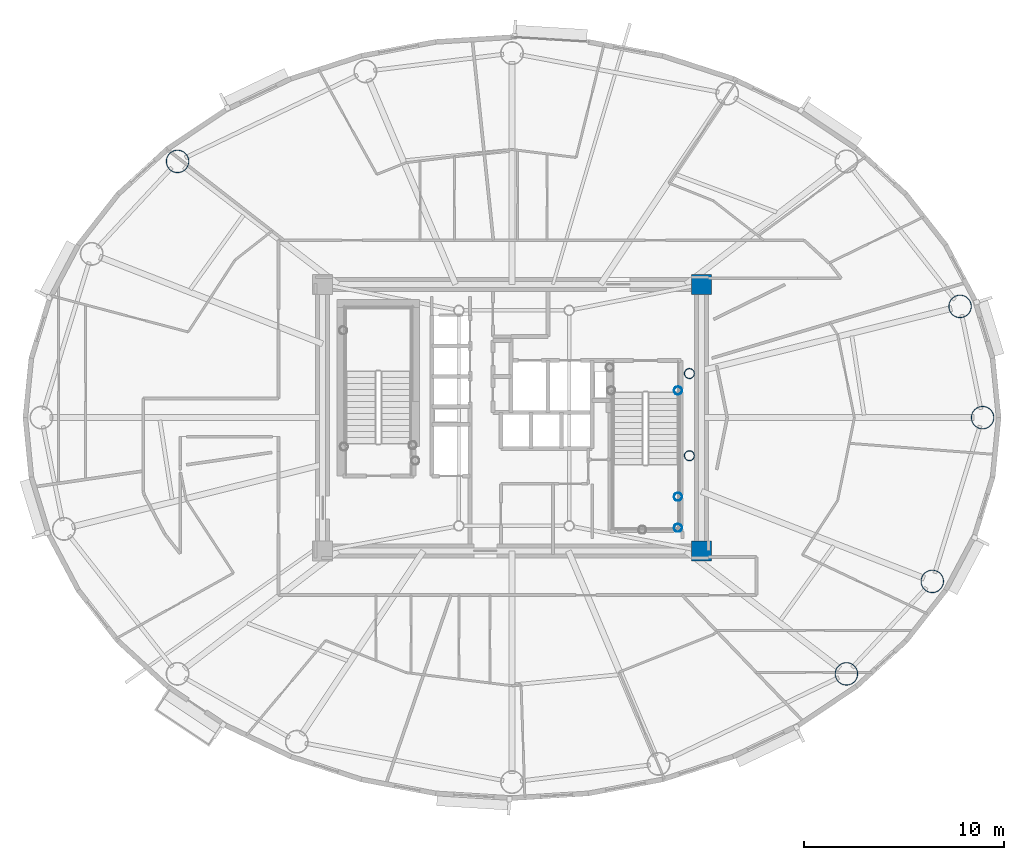
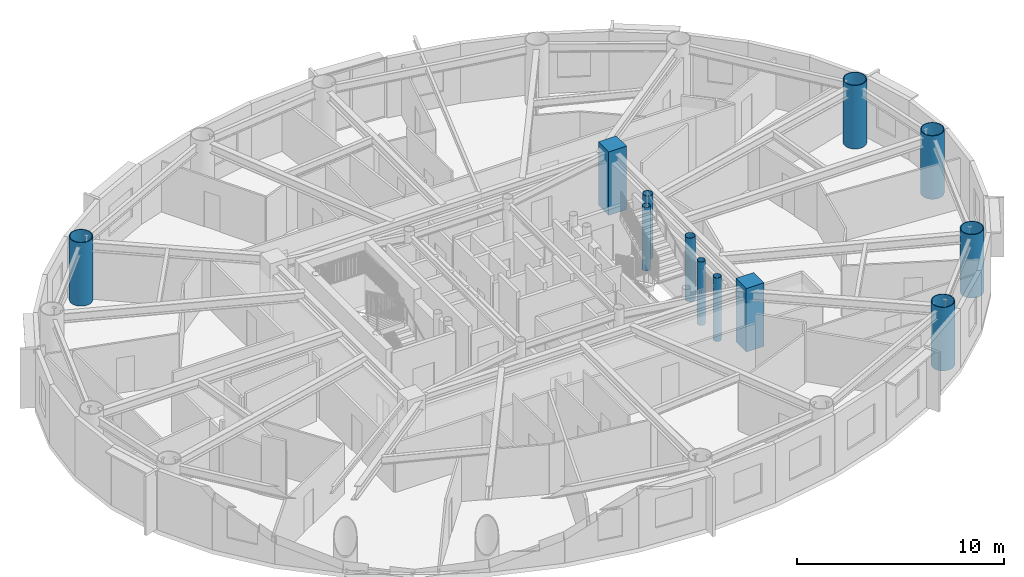
# One storey, part 2 of 19: 12 columns.
"""IFC4 building model written with IfcOpenShell, lengths in metres."""

from ifc_helpers import new_model, si_unit, direction, frame, origin, origin_2d, place, context, subcontext, project, spatial, rectangle, hollow_circle, extrude, material, material_profile, profile_set, type_object, element, save


model = new_model("IFC4")

# Units and contexts
model_context = context("Model", 3, precision=1e-05, world=origin(), true_north=direction((0.0, 1.0)))
body_context = subcontext(model_context, "Body", "Model", "MODEL_VIEW")
ifc_project = project(units=[si_unit("LENGTHUNIT", "METRE"), si_unit("AREAUNIT", "SQUARE_METRE"), si_unit("VOLUMEUNIT", "CUBIC_METRE"), si_unit("PLANEANGLEUNIT", "RADIAN"), si_unit("MASSUNIT", "GRAM", prefix="KILO")], contexts=[model_context])

# Site, building, storey
site_placement = place(None, origin())
site = spatial("IfcSite", under=ifc_project, at=site_placement, CompositionType="ELEMENT")
building_placement = place(site_placement, origin())
building = spatial("IfcBuilding", under=site, at=building_placement, Name="Linh Dai School and Residence Tower", CompositionType="ELEMENT")
storey_placement = place(building_placement, frame((0.0, 0.0, 236.550048828125)))
storey = spatial("IfcBuildingStorey", under=building, at=storey_placement, Name="L58", CompositionType="ELEMENT", Elevation=236.550048828125)

# Columns
ifc_material_1 = material(Name="Concrete B45 (C35/45)", Category="concrete")
ifc_material_profile_1 = material_profile(ifc_material_1, rectangle(XDim=1.0, YDim=1.0, at=origin_2d()), Name="RC 1000x1000")
ifc_profile_set_1 = profile_set([ifc_material_profile_1], Name="Concrete B45 (C35/45)")
column_type_1 = type_object("IfcColumnType", Name="COL-CC3", PredefinedType="COLUMN", material=ifc_profile_set_1)
for number, where, z_axis, x_axis, name in (
    (1, (45.449951171875, 20.35009765625, 0.0), (0.0, 0.0, 1.0), (1.0, 0.0, 0.0), "L58 Core Corner Pier CC2"),
    (2, (45.449951171875, 33.64990234375, 0.0), (0.0, 0.0, 1.0), (1.0, 0.0, 0.0), "L58 Core Corner Pier CC3"),
):
    element("IfcColumn", number, at=place(storey_placement, frame(where, z_axis=z_axis, x_axis=x_axis)), inside=storey, type_object=column_type_1, Name=name, PredefinedType="COLUMN", context=body_context, shape_type="SweptSolid", body=[
        extrude(rectangle(XDim=1.0, YDim=1.0, at=origin_2d()), origin(), (0.0, 0.0, 1.0), 3.75),
    ])
ifc_material_2 = material(Name="Structural Steel S355JR", Category="steel")
ifc_material_profile_2 = material_profile(ifc_material_2, hollow_circle(Radius=0.203125, WallThickness=0.01611328125, at=origin_2d()), Name="CHS 406.4x16")
ifc_profile_set_2 = profile_set([ifc_material_profile_2], Name="Structural Steel S355JR")
column_type_2 = type_object("IfcColumnType", Name="COL-EC", PredefinedType="COLUMN", material=ifc_profile_set_2)
for number, where, z_axis, x_axis, name in (
    (3, (44.280029296875, 21.5, 0.0), (0.0, 0.0, 1.0), (1.0, 0.0, 0.0), "L58 Stair Shaft Landing Support Pier ST2SE"),
    (4, (44.280029296875, 23.050048828125, 0.0), (0.0, 0.0, 1.0), (1.0, 0.0, 0.0), "L58 Stair Shaft Landing Support Pier ST2NE"),
    (5, (44.280029296875, 28.35009765625, 0.0), (0.0, 0.0, 1.0), (1.0, 0.0, 0.0), "L58 Stair Shaft Landing Support Pier ST2N2"),
):
    element("IfcColumn", number, at=place(storey_placement, frame(where, z_axis=z_axis, x_axis=x_axis)), inside=storey, type_object=column_type_2, Name=name, PredefinedType="COLUMN", context=body_context, shape_type="SweptSolid", body=[
        extrude(hollow_circle(Radius=0.203125, WallThickness=0.01611328125, at=origin_2d()), origin(), (0.0, 0.0, 1.0), 3.75),
    ])
ifc_material_profile_3 = material_profile(ifc_material_2, hollow_circle(Radius=0.574951171875, WallThickness=0.035888671875, at=origin_2d()), Name="CHS 1150x36")
ifc_profile_set_3 = profile_set([ifc_material_profile_3], Name="Structural Steel S355JR")
column_type_3 = type_object("IfcColumnType", Name="COL-MC5", PredefinedType="COLUMN", material=ifc_profile_set_3)
for number, where, z_axis, x_axis, name in (
    (6, (59.47509765625, 27.0, 0.0), (0.0, 0.0, 1.0), (1.0, 0.0, 0.0), "L58 Perimeter CFT Mega-Column MC01"),
    (7, (58.351318359375, 32.54931640625, 0.0), (0.0, 0.0, 1.0), (1.0, 0.0, 0.0), "L58 Perimeter CFT Mega-Column MC02"),
    (8, (19.31689453125, 39.781005859375, 0.0), (0.0, 0.0, 1.0), (1.0, 0.0, 0.0), "L58 Perimeter CFT Mega-Column MC07"),
    (9, (52.68310546875, 14.218994140625, 0.0), (0.0, 0.0, 1.0), (1.0, 0.0, 0.0), "L58 Perimeter CFT Mega-Column MC15"),
    (10, (56.96533203125, 18.8310546875, 0.0), (0.0, 0.0, 1.0), (1.0, 0.0, 0.0), "L58 Perimeter CFT Mega-Column MC16"),
):
    element("IfcColumn", number, at=place(storey_placement, frame(where, z_axis=z_axis, x_axis=x_axis)), inside=storey, type_object=column_type_3, Name=name, PredefinedType="COLUMN", context=body_context, shape_type="SweptSolid", body=[
        extrude(hollow_circle(Radius=0.574951171875, WallThickness=0.035888671875, at=origin_2d()), origin(), (0.0, 0.0, 1.0), 3.75),
    ])
ifc_material_profile_4 = material_profile(ifc_material_2, hollow_circle(Radius=0.25390625, WallThickness=0.02001953125, at=origin_2d()), Name="CHS 508x20")
ifc_profile_set_4 = profile_set([ifc_material_profile_4], Name="Structural Steel S355JR")
column_type_4 = type_object("IfcColumnType", Name="COL-MCP", PredefinedType="COLUMN", material=ifc_profile_set_4)
for number, where, z_axis, x_axis, name in (
    (11, (44.85009765625, 25.10009765625, 0.0), (0.0, 0.0, 1.0), (1.0, 0.0, 0.0), "L58 Sky-Lounge Core Anchor Pier S"),
    (12, (44.85009765625, 29.199951171875, 0.0), (0.0, 0.0, 1.0), (1.0, 0.0, 0.0), "L58 Sky-Lounge Core Anchor Pier N"),
):
    element("IfcColumn", number, at=place(storey_placement, frame(where, z_axis=z_axis, x_axis=x_axis)), inside=storey, type_object=column_type_4, Name=name, PredefinedType="COLUMN", context=body_context, shape_type="SweptSolid", body=[
        extrude(hollow_circle(Radius=0.25390625, WallThickness=0.02001953125, at=origin_2d()), origin(), (0.0, 0.0, 1.0), 3.75),
    ])

save(model, "model.ifc")
